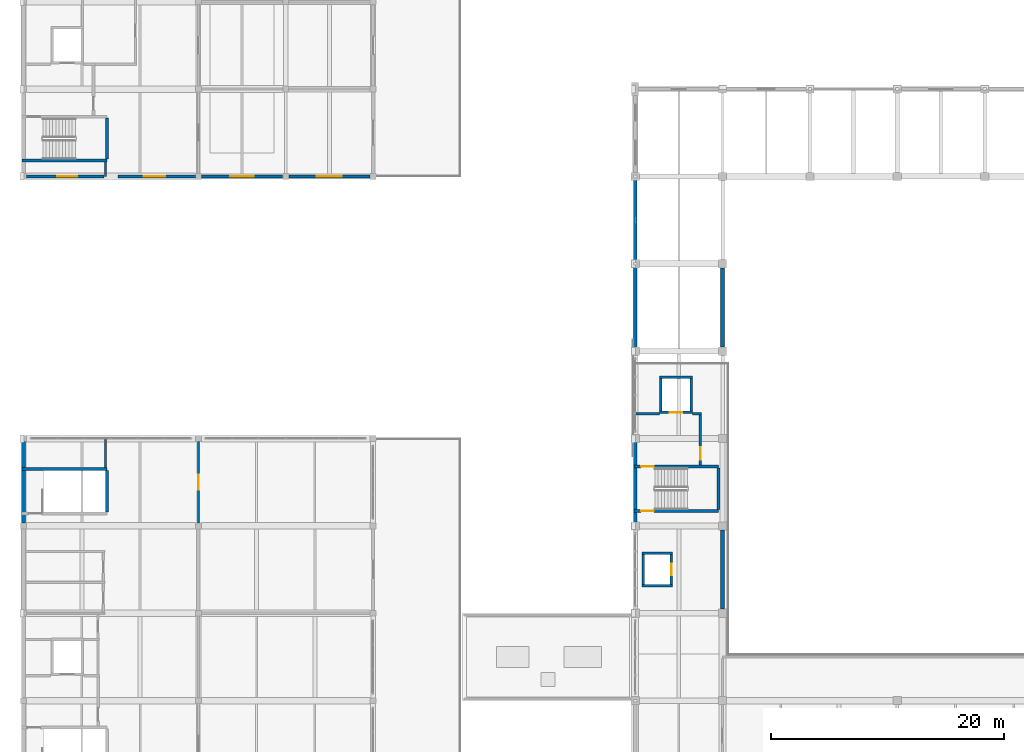
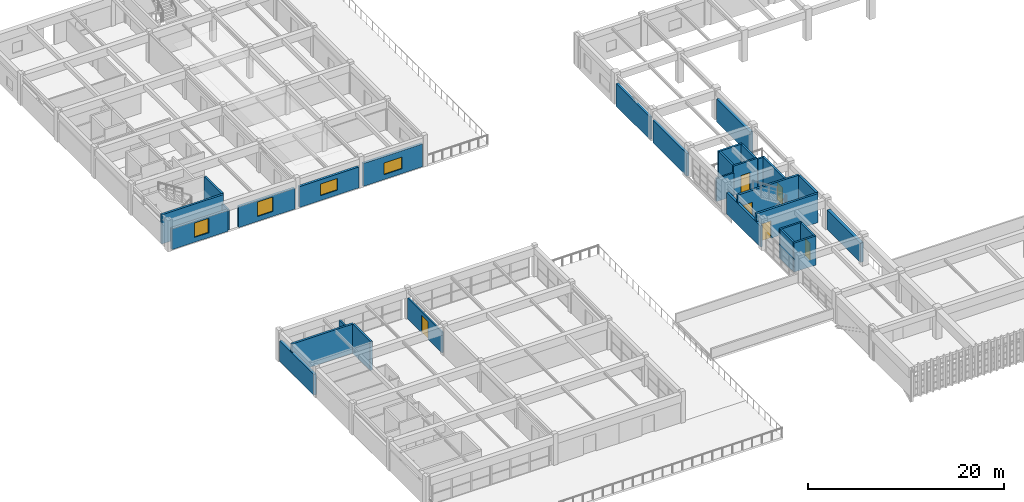
# One storey, part 62 of 82: 31 walls, 6 doors, 4 windows, 10 openings.
"""IFC4 building model written with IfcOpenShell, lengths in metres."""

from ifc_helpers import new_model, si_unit, direction, frame, frame_2d, origin, place, context, subcontext, project, spatial, rectangle, extrude, material, layer, layer_set, type_object, element, fill, save


model = new_model("IFC4")

# Units and contexts
model_context = context("Model", 3, precision=1e-05, world=origin(), true_north=direction((0.0, 1.0)))
body_context = subcontext(model_context, "Body", "Model", "MODEL_VIEW")
ifc_project = project(units=[si_unit("LENGTHUNIT", "METRE"), si_unit("AREAUNIT", "SQUARE_METRE"), si_unit("VOLUMEUNIT", "CUBIC_METRE"), si_unit("PLANEANGLEUNIT", "RADIAN"), si_unit("MASSUNIT", "GRAM", prefix="KILO")], contexts=[model_context])

# Site, building, storey
site_placement = place(None, origin())
site = spatial("IfcSite", under=ifc_project, at=site_placement, CompositionType="ELEMENT")
building_placement = place(site_placement, origin())
building = spatial("IfcBuilding", under=site, at=building_placement, Name="Qasida Concert Hall", CompositionType="ELEMENT")
storey_placement = place(building_placement, frame((0.0, 0.0, 17.10009765625)))
storey = spatial("IfcBuildingStorey", under=building, at=storey_placement, Name="L04", CompositionType="ELEMENT", Elevation=17.10009765625)

# Walls
ifc_material_1 = material(Name="Concrete C40/50", Category="concrete")
ifc_layer_1 = layer(ifc_material_1, 0.219970703125, Name="Concrete C40/50")
ifc_layer_set_1 = layer_set([ifc_layer_1], Name="Concrete C40/50")
wall_type_1 = type_object("IfcWallType", Name="WL-CW-220", PredefinedType="SOLIDWALL", material=ifc_layer_set_1)
for number, where, z_axis, x_axis, name in (
    (1, (53.090087890625, 39.85009765625, 0.0), (0.0, 0.0, 1.0), (1.0, 0.0, 0.0), "L04 LF-01 lift shaft wall S"),
    (2, (53.090087890625, 42.64990234375, 0.0), (0.0, 0.0, 1.0), (1.0, 0.0, 0.0), "L04 LF-01 lift shaft wall N"),
):
    element("IfcWall", number, at=place(storey_placement, frame(where, z_axis=z_axis, x_axis=x_axis)), inside=storey, type_object=wall_type_1, Name=name, PredefinedType="SOLIDWALL", context=body_context, shape_type="SweptSolid", body=[
        extrude(rectangle(XDim=2.619873046875, YDim=0.219970703125, at=frame_2d((1.31005859375, 0.0))), origin(), (0.0, 0.0, 1.0), 3.619873046875),
    ])
wall_1_placement = place(storey_placement, frame((53.199951171875, 39.9599609375, 0.0), z_axis=(0.0, 0.0, 1.0), x_axis=(0.0, 1.0, 0.0)))
element("IfcWall", 3, at=wall_1_placement, inside=storey, type_object=wall_type_1, Name="L04 LF-01 lift shaft wall W", PredefinedType="SOLIDWALL", context=body_context, shape_type="SweptSolid", body=[
    extrude(rectangle(XDim=2.580078125, YDim=0.219970703125, at=frame_2d((1.2900390625, 0.0))), origin(), (0.0, 0.0, 1.0), 3.619873046875),
])

# Wall, opening, door
wall_2_placement = place(storey_placement, frame((55.60009765625, 39.9599609375, 0.0), z_axis=(0.0, 0.0, 1.0), x_axis=(0.0, 1.0, 0.0)))
wall_2 = element("IfcWall", 4, at=wall_2_placement, inside=storey, type_object=wall_type_1, Name="L04 LF-01 lift shaft wall E", PredefinedType="SOLIDWALL", context=body_context, shape_type="SweptSolid", body=[
    extrude(rectangle(XDim=2.580078125, YDim=0.219970703125, at=frame_2d((1.2900390625, 0.0))), origin(), (0.0, 0.0, 1.0), 3.619873046875),
])
opening_1_placement = place(wall_2_placement, frame((0.7900390625, 0.0, 0.0)))
opening_1 = element("IfcOpeningElement", 5, at=opening_1_placement, cuts=wall_2, Name="Opening LD-100", PredefinedType="OPENING", context=body_context, shape_type="SweptSolid", body=[
    extrude(rectangle(XDim=1.0, YDim=2.14990234375, at=frame_2d((0.5, 1.074951171875))), frame((0.0, 0.119873046875, 0.0), z_axis=(0.0, -1.0, 0.0), x_axis=(1.0, 0.0, 0.0)), (0.0, 0.0, 1.0), 0.239990234375),
])
ifc_material_2 = material(Name="Brushed bronze passenger lift landing door", Category="steel")
door_type_1 = type_object("IfcDoorType", Name="LD-100", OperationType="SLIDING_TO_LEFT", PredefinedType="DOOR", material=ifc_material_2)
door_1_placement = place(opening_1_placement, origin())
door_1 = element("IfcDoor", 6, at=door_1_placement, inside=storey, type_object=door_type_1, Name="Lift landing door LF-01 L04", OperationType="SLIDING_TO_LEFT", OverallHeight=2.14990234375, OverallWidth=1.0, PredefinedType="DOOR", context=body_context, shape_type="SweptSolid", body=[
    extrude(rectangle(XDim=1.0, YDim=2.14990234375, at=frame_2d((0.5, 1.074951171875))), frame((0.0, 0.02490234375, 0.0), z_axis=(0.0, -1.0, 0.0), x_axis=(1.0, 0.0, 0.0)), (0.0, 0.0, 1.0), 0.050048828125),
])
fill(opening_1, door_1)

wall_3_placement = place(storey_placement, frame((54.590087890625, 54.75, 0.0), z_axis=(0.0, 0.0, 1.0), x_axis=(1.0, 0.0, 0.0)))
wall_3 = element("IfcWall", 7, at=wall_3_placement, inside=storey, type_object=wall_type_1, Name="L04 LF-03 lift shaft wall S", PredefinedType="SOLIDWALL", context=body_context, shape_type="SweptSolid", body=[
    extrude(rectangle(XDim=2.81982421875, YDim=0.219970703125, at=frame_2d((1.409912109375, 0.0))), origin(), (0.0, 0.0, 1.0), 3.619873046875),
])
opening_2_placement = place(wall_3_placement, frame((0.860107421875, 0.0, 0.0)))
opening_2 = element("IfcOpeningElement", 8, at=opening_2_placement, cuts=wall_3, Name="Opening LD-110", PredefinedType="OPENING", context=body_context, shape_type="SweptSolid", body=[
    extrude(rectangle(XDim=1.10009765625, YDim=2.14990234375, at=frame_2d((0.550048828125, 1.074951171875))), frame((0.0, 0.119873046875, 0.0), z_axis=(0.0, -1.0, 0.0), x_axis=(1.0, 0.0, 0.0)), (0.0, 0.0, 1.0), 0.239990234375),
])
ifc_material_3 = material(Name="Firefighting lift sliding landing door", Category="steel")
door_type_2 = type_object("IfcDoorType", Name="LD-110", OperationType="SLIDING_TO_LEFT", PredefinedType="DOOR", material=ifc_material_3)
door_2_placement = place(opening_2_placement, origin())
door_2 = element("IfcDoor", 9, at=door_2_placement, inside=storey, type_object=door_type_2, Name="Lift landing door LF-03 L04", OperationType="SLIDING_TO_LEFT", OverallHeight=2.14990234375, OverallWidth=1.10009765625, PredefinedType="DOOR", context=body_context, shape_type="SweptSolid", body=[
    extrude(rectangle(XDim=1.10009765625, YDim=2.14990234375, at=frame_2d((0.550048828125, 1.074951171875))), frame((0.0, 0.02490234375, 0.0), z_axis=(0.0, -1.0, 0.0), x_axis=(1.0, 0.0, 0.0)), (0.0, 0.0, 1.0), 0.050048828125),
])
fill(opening_2, door_2)

# Walls
wall_4_placement = place(storey_placement, frame((54.590087890625, 57.75, 0.0), z_axis=(0.0, 0.0, 1.0), x_axis=(1.0, 0.0, 0.0)))
element("IfcWall", 10, at=wall_4_placement, inside=storey, type_object=wall_type_1, Name="L04 LF-03 lift shaft wall N", PredefinedType="SOLIDWALL", context=body_context, shape_type="SweptSolid", body=[
    extrude(rectangle(XDim=2.81982421875, YDim=0.219970703125, at=frame_2d((1.409912109375, 0.0))), origin(), (0.0, 0.0, 1.0), 3.619873046875),
])
for number, where, z_axis, x_axis, name in (
    (11, (54.699951171875, 54.860107421875, 0.0), (0.0, 0.0, 1.0), (0.0, 1.0, 0.0), "L04 LF-03 lift shaft wall W"),
    (12, (57.300048828125, 54.860107421875, 0.0), (0.0, 0.0, 1.0), (0.0, 1.0, 0.0), "L04 LF-03 lift shaft wall E"),
):
    element("IfcWall", number, at=place(storey_placement, frame(where, z_axis=z_axis, x_axis=x_axis)), inside=storey, type_object=wall_type_1, Name=name, PredefinedType="SOLIDWALL", context=body_context, shape_type="SweptSolid", body=[
        extrude(rectangle(XDim=2.77978515625, YDim=0.219970703125, at=frame_2d((1.389892578125, 0.0))), origin(), (0.0, 0.0, 1.0), 3.619873046875),
    ])

# Wall, opening, door
wall_5_placement = place(storey_placement, frame((58.10009765625, 50.219970703125, 0.0), z_axis=(0.0, 0.0, 1.0), x_axis=(0.0, 1.0, 0.0)))
wall_5 = element("IfcWall", 13, at=wall_5_placement, inside=storey, type_object=wall_type_1, Name="L04 LF-03 firefighting lobby wall", PredefinedType="SOLIDWALL", context=body_context, shape_type="SweptSolid", body=[
    extrude(rectangle(XDim=4.409912109375, YDim=0.219970703125, at=frame_2d((2.205078125, 0.0))), origin(), (0.0, 0.0, 1.0), 3.619873046875),
])
opening_3_placement = place(wall_5_placement, frame((0.449951171875, 0.0, 0.0)))
opening_3 = element("IfcOpeningElement", 14, at=opening_3_placement, cuts=wall_5, Name="Opening FD-110", PredefinedType="OPENING", context=body_context, shape_type="SweptSolid", body=[
    extrude(rectangle(XDim=1.10009765625, YDim=2.14990234375, at=frame_2d((0.550048828125, 1.074951171875))), frame((0.0, 0.119873046875, 0.0), z_axis=(0.0, -1.0, 0.0), x_axis=(1.0, 0.0, 0.0)), (0.0, 0.0, 1.0), 0.239990234375),
])
ifc_material_4 = material(Name="Steel fire-rated stair/lobby door set", Category="steel")
door_type_3 = type_object("IfcDoorType", Name="FD-110", OperationType="NOTDEFINED", PredefinedType="DOOR", material=ifc_material_4)
door_3_placement = place(opening_3_placement, origin())
door_3 = element("IfcDoor", 15, at=door_3_placement, inside=storey, type_object=door_type_3, Name="L04 LF-03 firefighting lobby fire door", OperationType="SINGLE_SWING_RIGHT", OverallHeight=2.14990234375, OverallWidth=1.10009765625, PredefinedType="DOOR", context=body_context, shape_type="SweptSolid", body=[
    extrude(rectangle(XDim=1.10009765625, YDim=2.14990234375, at=frame_2d((0.550048828125, 1.074951171875))), frame((0.0, 0.02490234375, 0.0), z_axis=(0.0, -1.0, 0.0), x_axis=(1.0, 0.0, 0.0)), (0.0, 0.0, 1.0), 0.050048828125),
])
fill(opening_3, door_3)

ifc_layer_2 = layer(ifc_material_1, 0.25, Name="Concrete C40/50")
ifc_layer_set_2 = layer_set([ifc_layer_2], Name="Concrete C40/50")
wall_type_2 = type_object("IfcWallType", Name="WL-CW-250", PredefinedType="SOLIDWALL", material=ifc_layer_set_2)
wall_6_placement = place(storey_placement, frame((52.3798828125, 46.27490234375, 0.0), z_axis=(0.0, 0.0, 1.0), x_axis=(1.0, 0.0, 0.0)))
wall_6 = element("IfcWall", 16, at=wall_6_placement, inside=storey, type_object=wall_type_2, Name="L04 ST-01 stairwell wall S", PredefinedType="SOLIDWALL", context=body_context, shape_type="SweptSolid", body=[
    extrude(rectangle(XDim=7.260009765625, YDim=0.25, at=frame_2d((3.6298828125, 0.0))), origin(), (0.0, 0.0, 1.0), 3.619873046875),
])
opening_4_placement = place(wall_6_placement, frame((0.6201171875, 0.0, 0.0)))
opening_4 = element("IfcOpeningElement", 17, at=opening_4_placement, cuts=wall_6, Name="Opening FD-110", PredefinedType="OPENING", context=body_context, shape_type="SweptSolid", body=[
    extrude(rectangle(XDim=1.10009765625, YDim=2.14990234375, at=frame_2d((0.550048828125, 1.074951171875))), frame((0.0, 0.135009765625, 0.0), z_axis=(0.0, -1.0, 0.0), x_axis=(1.0, 0.0, 0.0)), (0.0, 0.0, 1.0), 0.27001953125),
])
door_4_placement = place(opening_4_placement, origin())
door_4 = element("IfcDoor", 18, at=door_4_placement, inside=storey, type_object=door_type_3, Name="L04 ST-01 rated stair door", OperationType="SINGLE_SWING_LEFT", OverallHeight=2.14990234375, OverallWidth=1.10009765625, PredefinedType="DOOR", context=body_context, shape_type="SweptSolid", body=[
    extrude(rectangle(XDim=1.10009765625, YDim=2.14990234375, at=frame_2d((0.550048828125, 1.074951171875))), frame((0.0, 0.02490234375, 0.0), z_axis=(0.0, -1.0, 0.0), x_axis=(1.0, 0.0, 0.0)), (0.0, 0.0, 1.0), 0.050048828125),
])
fill(opening_4, door_4)

wall_7_placement = place(storey_placement, frame((52.3798828125, 50.0849609375, 0.0), z_axis=(0.0, 0.0, 1.0), x_axis=(1.0, 0.0, 0.0)))
wall_7 = element("IfcWall", 19, at=wall_7_placement, inside=storey, type_object=wall_type_2, Name="L04 ST-01 stairwell wall N", PredefinedType="SOLIDWALL", context=body_context, shape_type="SweptSolid", body=[
    extrude(rectangle(XDim=7.260009765625, YDim=0.25, at=frame_2d((3.6298828125, 0.0))), origin(), (0.0, 0.0, 1.0), 3.619873046875),
])
opening_5_placement = place(wall_7_placement, frame((0.6201171875, 0.0, 0.0)))
opening_5 = element("IfcOpeningElement", 20, at=opening_5_placement, cuts=wall_7, Name="Opening FD-110", PredefinedType="OPENING", context=body_context, shape_type="SweptSolid", body=[
    extrude(rectangle(XDim=1.10009765625, YDim=2.14990234375, at=frame_2d((0.550048828125, 1.074951171875))), frame((0.0, 0.135009765625, 0.0), z_axis=(0.0, -1.0, 0.0), x_axis=(1.0, 0.0, 0.0)), (0.0, 0.0, 1.0), 0.27001953125),
])
door_5_placement = place(opening_5_placement, frame((1.10009765625, 0.0, 0.0), z_axis=(0.0, 0.0, 1.0), x_axis=(-1.0, 0.0, 0.0)))
door_5 = element("IfcDoor", 21, at=door_5_placement, inside=storey, type_object=door_type_3, Name="L04 ST-01 rated stair door", OperationType="SINGLE_SWING_RIGHT", OverallHeight=2.14990234375, OverallWidth=1.10009765625, PredefinedType="DOOR", context=body_context, shape_type="SweptSolid", body=[
    extrude(rectangle(XDim=1.10009765625, YDim=2.14990234375, at=frame_2d((0.550048828125, 1.074951171875))), frame((0.0, 0.02490234375, 0.0), z_axis=(0.0, -1.0, 0.0), x_axis=(1.0, 0.0, 0.0)), (0.0, 0.0, 1.0), 0.050048828125),
])
fill(opening_5, door_5)

# Walls
wall_8_placement = place(storey_placement, frame((59.64501953125, 46.39990234375, 0.0), z_axis=(0.0, 0.0, 1.0), x_axis=(0.0, 1.0, 0.0)))
element("IfcWall", 22, at=wall_8_placement, inside=storey, type_object=wall_type_2, Name="L04 ST-01 stairwell wall E", PredefinedType="SOLIDWALL", context=body_context, shape_type="SweptSolid", body=[
    extrude(rectangle(XDim=3.56005859375, YDim=0.25, at=frame_2d((1.780029296875, 0.0))), origin(), (0.0, 0.0, 1.0), 3.619873046875),
])
wall_9_placement = place(storey_placement, frame((-0.1201171875, 49.885009765625, 0.0), z_axis=(0.0, 0.0, 1.0), x_axis=(1.0, 0.0, 0.0)))
element("IfcWall", 23, at=wall_9_placement, inside=storey, type_object=wall_type_2, Name="L04 ST-04 stairwell wall N", PredefinedType="SOLIDWALL", context=body_context, shape_type="SweptSolid", body=[
    extrude(rectangle(XDim=7.260009765625, YDim=0.25, at=frame_2d((3.6298828125, 0.0))), origin(), (0.0, 0.0, 1.0), 3.619873046875),
])
wall_10_placement = place(storey_placement, frame((7.14501953125, 46.199951171875, 0.0), z_axis=(0.0, 0.0, 1.0), x_axis=(0.0, 1.0, 0.0)))
element("IfcWall", 24, at=wall_10_placement, inside=storey, type_object=wall_type_2, Name="L04 ST-04 stairwell wall E", PredefinedType="SOLIDWALL", context=body_context, shape_type="SweptSolid", body=[
    extrude(rectangle(XDim=3.56005859375, YDim=0.25, at=frame_2d((1.780029296875, 0.0))), origin(), (0.0, 0.0, 1.0), 3.619873046875),
])
wall_11_placement = place(storey_placement, frame((-0.1201171875, 76.375, 0.0), z_axis=(0.0, 0.0, 1.0), x_axis=(1.0, 0.0, 0.0)))
element("IfcWall", 25, at=wall_11_placement, inside=storey, type_object=wall_type_2, Name="L04 ST-05 stairwell wall S", PredefinedType="SOLIDWALL", context=body_context, shape_type="SweptSolid", body=[
    extrude(rectangle(XDim=7.260009765625, YDim=0.25, at=frame_2d((3.6298828125, 0.0))), origin(), (0.0, 0.0, 1.0), 3.619873046875),
])
wall_12_placement = place(storey_placement, frame((7.14501953125, 76.5, 0.0), z_axis=(0.0, 0.0, 1.0), x_axis=(0.0, 1.0, 0.0)))
element("IfcWall", 26, at=wall_12_placement, inside=storey, type_object=wall_type_2, Name="L04 ST-05 stairwell wall E", PredefinedType="SOLIDWALL", context=body_context, shape_type="SweptSolid", body=[
    extrude(rectangle(XDim=3.5, YDim=0.25, at=frame_2d((1.75, 0.0))), origin(), (0.0, 0.0, 1.0), 3.619873046875),
])
ifc_material_5 = material(Name="Precast concrete C40/50", Category="concrete")
ifc_layer_3 = layer(ifc_material_5, 0.280029296875, Name="Precast concrete C40/50")
ifc_layer_set_3 = layer_set([ifc_layer_3], Name="Precast concrete C40/50")
wall_type_3 = type_object("IfcWallType", Name="WL-EW-280", PredefinedType="SOLIDWALL", material=ifc_layer_set_3)
wall_13_placement = place(storey_placement, frame((52.5, 45.300048828125, 0.0), z_axis=(0.0, 0.0, 1.0), x_axis=(0.0, 1.0, 0.0)))
element("IfcWall", 27, at=wall_13_placement, inside=storey, type_object=wall_type_3, Name="L04 exterior wall EW-280 0081", PredefinedType="SOLIDWALL", context=body_context, shape_type="SweptSolid", body=[
    extrude(rectangle(XDim=6.89990234375, YDim=0.280029296875, at=frame_2d((3.449951171875, 0.0))), origin(), (0.0, 0.0, 1.0), 2.639892578125),
])
for number, where, z_axis, x_axis, name in (
    (28, (52.5, 60.300048828125, -0.280029296875), (0.0, 0.0, 1.0), (0.0, 1.0, 0.0), "L04 exterior wall EW-280 0083"),
    (29, (52.5, 67.800048828125, -0.280029296875), (0.0, 0.0, 1.0), (0.0, 1.0, 0.0), "L04 exterior wall EW-280 0085"),
):
    element("IfcWall", number, at=place(storey_placement, frame(where, z_axis=z_axis, x_axis=x_axis)), inside=storey, type_object=wall_type_3, Name=name, PredefinedType="SOLIDWALL", context=body_context, shape_type="SweptSolid", body=[
        extrude(rectangle(XDim=6.89990234375, YDim=0.280029296875, at=frame_2d((3.449951171875, 0.0))), origin(), (0.0, 0.0, 1.0), 2.81982421875),
    ])

# Wall, opening, window
wall_14_placement = place(storey_placement, frame((0.264892578125, 75.0, 0.0), z_axis=(0.0, 0.0, 1.0), x_axis=(1.0, 0.0, 0.0)))
wall_14 = element("IfcWall", 30, at=wall_14_placement, inside=storey, type_object=wall_type_3, Name="L04 exterior wall EW-280 0293", PredefinedType="SOLIDWALL", context=body_context, shape_type="SweptSolid", body=[
    extrude(rectangle(XDim=6.614990234375, YDim=0.280029296875, at=frame_2d((3.3076171875, 0.0))), origin(), (0.0, 0.0, 1.0), 2.58984375),
])
opening_6_placement = place(wall_14_placement, frame((2.635009765625, 0.0, 0.60009765625)))
opening_6 = element("IfcOpeningElement", 31, at=opening_6_placement, cuts=wall_14, Name="Opening WN-05", PredefinedType="OPENING", context=body_context, shape_type="SweptSolid", body=[
    extrude(rectangle(XDim=1.699951171875, YDim=1.800048828125, at=frame_2d((0.85009765625, 0.89990234375))), frame((0.0, 0.14990234375, 0.0), z_axis=(0.0, -1.0, 0.0), x_axis=(1.0, 0.0, 0.0)), (0.0, 0.0, 1.0), 0.300048828125),
])
ifc_material_6 = material(Name="Bronze-anodized aluminium frame with acoustic low-E glazing", Category="aluminium")
window_type_1 = type_object("IfcWindowType", Name="WN-05", PartitioningType="SINGLE_PANEL", PredefinedType="WINDOW", material=ifc_material_6)
window_1_placement = place(opening_6_placement, origin())
window_1 = element("IfcWindow", 32, at=window_1_placement, inside=storey, type_object=window_type_1, Name="L04 window WN-05 0160", OverallHeight=1.800048828125, OverallWidth=1.699951171875, PartitioningType="SINGLE_PANEL", PredefinedType="WINDOW", context=body_context, shape_type="SweptSolid", body=[
    extrude(rectangle(XDim=1.699951171875, YDim=1.800048828125, at=frame_2d((0.85009765625, 0.89990234375))), frame((0.0, 0.030029296875, 0.0), z_axis=(0.0, -1.0, 0.0), x_axis=(1.0, 0.0, 0.0)), (0.0, 0.0, 1.0), 0.06005859375),
])
fill(opening_6, window_1)

wall_15_placement = place(storey_placement, frame((8.1201171875, 75.0, 0.0), z_axis=(0.0, 0.0, 1.0), x_axis=(1.0, 0.0, 0.0)))
wall_15 = element("IfcWall", 33, at=wall_15_placement, inside=storey, type_object=wall_type_3, Name="L04 exterior wall EW-280 0295", PredefinedType="SOLIDWALL", context=body_context, shape_type="SweptSolid", body=[
    extrude(rectangle(XDim=6.614990234375, YDim=0.280029296875, at=frame_2d((3.3076171875, 0.0))), origin(), (0.0, 0.0, 1.0), 2.58984375),
])
opening_7_placement = place(wall_15_placement, frame((2.205078125, 0.0, 0.60009765625)))
opening_7 = element("IfcOpeningElement", 34, at=opening_7_placement, cuts=wall_15, Name="Opening WN-06", PredefinedType="OPENING", context=body_context, shape_type="SweptSolid", body=[
    extrude(rectangle(XDim=1.85009765625, YDim=1.800048828125, at=frame_2d((0.925048828125, 0.89990234375))), frame((0.0, 0.14990234375, 0.0), z_axis=(0.0, -1.0, 0.0), x_axis=(1.0, 0.0, 0.0)), (0.0, 0.0, 1.0), 0.300048828125),
])
window_type_2 = type_object("IfcWindowType", Name="WN-06", PartitioningType="SINGLE_PANEL", PredefinedType="WINDOW", material=ifc_material_6)
window_2_placement = place(opening_7_placement, origin())
window_2 = element("IfcWindow", 35, at=window_2_placement, inside=storey, type_object=window_type_2, Name="L04 window WN-06 0162", OverallHeight=1.800048828125, OverallWidth=1.85009765625, PartitioningType="SINGLE_PANEL", PredefinedType="WINDOW", context=body_context, shape_type="SweptSolid", body=[
    extrude(rectangle(XDim=1.85009765625, YDim=1.800048828125, at=frame_2d((0.925048828125, 0.89990234375))), frame((0.0, 0.030029296875, 0.0), z_axis=(0.0, -1.0, 0.0), x_axis=(1.0, 0.0, 0.0)), (0.0, 0.0, 1.0), 0.06005859375),
])
fill(opening_7, window_2)

wall_16_placement = place(storey_placement, frame((15.264892578125, 75.0, 0.0), z_axis=(0.0, 0.0, 1.0), x_axis=(1.0, 0.0, 0.0)))
wall_16 = element("IfcWall", 36, at=wall_16_placement, inside=storey, type_object=wall_type_3, Name="L04 exterior wall EW-280 0297", PredefinedType="SOLIDWALL", context=body_context, shape_type="SweptSolid", body=[
    extrude(rectangle(XDim=6.97021484375, YDim=0.280029296875, at=frame_2d((3.485107421875, 0.0))), origin(), (0.0, 0.0, 1.0), 2.58984375),
])
opening_8_placement = place(wall_16_placement, frame((2.485107421875, 0.0, 0.60009765625)))
opening_8 = element("IfcOpeningElement", 37, at=opening_8_placement, cuts=wall_16, Name="Opening WN-07", PredefinedType="OPENING", context=body_context, shape_type="SweptSolid", body=[
    extrude(rectangle(XDim=2.0, YDim=1.449951171875, at=frame_2d((1.0, 0.72509765625))), frame((0.0, 0.14990234375, 0.0), z_axis=(0.0, -1.0, 0.0), x_axis=(1.0, 0.0, 0.0)), (0.0, 0.0, 1.0), 0.300048828125),
])
window_type_3 = type_object("IfcWindowType", Name="WN-07", PartitioningType="SINGLE_PANEL", PredefinedType="WINDOW", material=ifc_material_6)
window_3_placement = place(opening_8_placement, origin())
window_3 = element("IfcWindow", 38, at=window_3_placement, inside=storey, type_object=window_type_3, Name="L04 window WN-07 0163", OverallHeight=1.449951171875, OverallWidth=2.0, PartitioningType="SINGLE_PANEL", PredefinedType="WINDOW", context=body_context, shape_type="SweptSolid", body=[
    extrude(rectangle(XDim=2.0, YDim=1.449951171875, at=frame_2d((1.0, 0.72509765625))), frame((0.0, 0.030029296875, 0.0), z_axis=(0.0, -1.0, 0.0), x_axis=(1.0, 0.0, 0.0)), (0.0, 0.0, 1.0), 0.06005859375),
])
fill(opening_8, window_3)

wall_17_placement = place(storey_placement, frame((22.764892578125, 75.0, 0.0), z_axis=(0.0, 0.0, 1.0), x_axis=(1.0, 0.0, 0.0)))
wall_17 = element("IfcWall", 39, at=wall_17_placement, inside=storey, type_object=wall_type_3, Name="L04 exterior wall EW-280 0299", PredefinedType="SOLIDWALL", context=body_context, shape_type="SweptSolid", body=[
    extrude(rectangle(XDim=6.97021484375, YDim=0.280029296875, at=frame_2d((3.485107421875, 0.0))), origin(), (0.0, 0.0, 1.0), 2.83984375),
])
opening_9_placement = place(wall_17_placement, frame((2.409912109375, 0.0, 0.60009765625)))
opening_9 = element("IfcOpeningElement", 40, at=opening_9_placement, cuts=wall_17, Name="Opening WN-08", PredefinedType="OPENING", context=body_context, shape_type="SweptSolid", body=[
    extrude(rectangle(XDim=2.14990234375, YDim=1.449951171875, at=frame_2d((1.074951171875, 0.72509765625))), frame((0.0, 0.14990234375, 0.0), z_axis=(0.0, -1.0, 0.0), x_axis=(1.0, 0.0, 0.0)), (0.0, 0.0, 1.0), 0.300048828125),
])
window_type_4 = type_object("IfcWindowType", Name="WN-08", PartitioningType="SINGLE_PANEL", PredefinedType="WINDOW", material=ifc_material_6)
window_4_placement = place(opening_9_placement, origin())
window_4 = element("IfcWindow", 41, at=window_4_placement, inside=storey, type_object=window_type_4, Name="L04 window WN-08 0165", OverallHeight=1.449951171875, OverallWidth=2.14990234375, PartitioningType="SINGLE_PANEL", PredefinedType="WINDOW", context=body_context, shape_type="SweptSolid", body=[
    extrude(rectangle(XDim=2.14990234375, YDim=1.449951171875, at=frame_2d((1.074951171875, 0.72509765625))), frame((0.0, 0.030029296875, 0.0), z_axis=(0.0, -1.0, 0.0), x_axis=(1.0, 0.0, 0.0)), (0.0, 0.0, 1.0), 0.06005859375),
])
fill(opening_9, window_4)

# Walls
ifc_layer_4 = layer(ifc_material_5, 0.320068359375, Name="Precast concrete C40/50")
ifc_layer_set_4 = layer_set([ifc_layer_4], Name="Precast concrete C40/50")
wall_type_4 = type_object("IfcWallType", Name="WL-EW-320", PredefinedType="SOLIDWALL", material=ifc_layer_set_4)
wall_18_placement = place(storey_placement, frame((0.0, 45.264892578125, 0.0), z_axis=(0.0, 0.0, 1.0), x_axis=(0.0, 1.0, 0.0)))
element("IfcWall", 42, at=wall_18_placement, inside=storey, type_object=wall_type_4, Name="L04 exterior wall EW-320 0145", PredefinedType="SOLIDWALL", context=body_context, shape_type="SweptSolid", body=[
    extrude(rectangle(XDim=6.97021484375, YDim=0.320068359375, at=frame_2d((3.485107421875, 0.0))), origin(), (0.0, 0.0, 1.0), 2.58984375),
])
ifc_material_7 = material(Name="Acoustic metal-stud gypsum partition", Category="gypsum")
ifc_layer_5 = layer(ifc_material_7, 0.179931640625, Name="Acoustic metal-stud gypsum partition")
ifc_layer_set_5 = layer_set([ifc_layer_5], Name="Acoustic metal-stud gypsum partition")
wall_type_5 = type_object("IfcWallType", Name="WL-PW-180", PredefinedType="PARTITIONING", material=ifc_layer_set_5)
wall_19_placement = place(storey_placement, frame((7.02001953125, 50.02392578125, 0.0), z_axis=(0.0, 0.0, 1.0), x_axis=(0.0, 1.0, 0.0)))
element("IfcWall", 43, at=wall_19_placement, inside=storey, type_object=wall_type_5, Name="L04 partition PW-180 0159", PredefinedType="PARTITIONING", context=body_context, shape_type="SweptSolid", body=[
    extrude(rectangle(XDim=2.384033203125, YDim=0.179931640625, at=frame_2d((1.19189453125, 0.0))), origin(), (0.0, 0.0, 1.0), 2.58984375),
])

# Wall, opening, door
wall_20_placement = place(storey_placement, frame((15.0, 45.263916015625, 0.0), z_axis=(0.0, 0.0, 1.0), x_axis=(0.0, 1.0, 0.0)))
wall_20 = element("IfcWall", 44, at=wall_20_placement, inside=storey, type_object=wall_type_5, Name="L04 partition PW-180 0225", PredefinedType="PARTITIONING", context=body_context, shape_type="SweptSolid", body=[
    extrude(rectangle(XDim=6.97216796875, YDim=0.179931640625, at=frame_2d((3.486083984375, 0.0))), origin(), (0.0, 0.0, 1.0), 2.58984375),
])
opening_10_placement = place(wall_20_placement, frame((2.8359375, 0.0, 0.0)))
opening_10 = element("IfcOpeningElement", 45, at=opening_10_placement, cuts=wall_20, Name="Opening ID-130", PredefinedType="OPENING", context=body_context, shape_type="SweptSolid", body=[
    extrude(rectangle(XDim=1.300048828125, YDim=2.14990234375, at=frame_2d((0.64990234375, 1.074951171875))), frame((0.0, 0.099853515625, 0.0), z_axis=(0.0, -1.0, 0.0), x_axis=(1.0, 0.0, 0.0)), (0.0, 0.0, 1.0), 0.199951171875),
])
ifc_material_8 = material(Name="Bronze-framed glazed salon door", Category="aluminium")
door_type_4 = type_object("IfcDoorType", Name="ID-130", OperationType="NOTDEFINED", PredefinedType="DOOR", material=ifc_material_8)
door_6_placement = place(opening_10_placement, origin())
door_6 = element("IfcDoor", 46, at=door_6_placement, inside=storey, type_object=door_type_4, Name="L04 Levantine recital salon door", OperationType="SINGLE_SWING_LEFT", OverallHeight=2.14990234375, OverallWidth=1.300048828125, PredefinedType="DOOR", context=body_context, shape_type="SweptSolid", body=[
    extrude(rectangle(XDim=1.300048828125, YDim=2.14990234375, at=frame_2d((0.64990234375, 1.074951171875))), frame((0.0, 0.02490234375, 0.0), z_axis=(0.0, -1.0, 0.0), x_axis=(1.0, 0.0, 0.0)), (0.0, 0.0, 1.0), 0.050048828125),
])
fill(opening_10, door_6)

# Walls
wall_21_placement = place(storey_placement, frame((7.02001953125, 75.0, 0.0), z_axis=(0.0, 0.0, 1.0), x_axis=(0.0, 1.0, 0.0)))
element("IfcWall", 47, at=wall_21_placement, inside=storey, type_object=wall_type_5, Name="L04 partition PW-180 0351", PredefinedType="PARTITIONING", context=body_context, shape_type="SweptSolid", body=[
    extrude(rectangle(XDim=1.236083984375, YDim=0.179931640625, at=frame_2d((0.6181640625, 0.0))), origin(), (0.0, 0.0, 1.0), 2.58984375),
])
ifc_material_9 = material(Name="Acoustic gypsum block and mineral wool", Category="gypsum")
ifc_layer_6 = layer(ifc_material_9, 0.199951171875, Name="Acoustic gypsum block and mineral wool")
ifc_layer_set_6 = layer_set([ifc_layer_6], Name="Acoustic gypsum block and mineral wool")
wall_type_6 = type_object("IfcWallType", Name="WL-PW-200", PredefinedType="PARTITIONING", material=ifc_layer_set_6)
wall_22_placement = place(storey_placement, frame((52.56005859375, 54.6298828125, 0.0), z_axis=(0.0, 0.0, 1.0), x_axis=(1.0, 0.0, 0.0)))
element("IfcWall", 48, at=wall_22_placement, inside=storey, type_object=wall_type_6, Name="L04 LF-03 firefighting lobby return wall", PredefinedType="PARTITIONING", context=body_context, shape_type="SweptSolid", body=[
    extrude(rectangle(XDim=2.014892578125, YDim=0.199951171875, at=frame_2d((1.00732421875, 0.0))), origin(), (0.0, 0.0, 1.0), 2.849853515625),
])
wall_23_placement = place(storey_placement, frame((57.425048828125, 54.6298828125, 0.0), z_axis=(0.0, 0.0, 1.0), x_axis=(1.0, 0.0, 0.0)))
element("IfcWall", 49, at=wall_23_placement, inside=storey, type_object=wall_type_6, Name="L04 LF-03 firefighting lobby return wall", PredefinedType="PARTITIONING", context=body_context, shape_type="SweptSolid", body=[
    extrude(rectangle(XDim=0.784912109375, YDim=0.199951171875, at=frame_2d((0.392578125, 0.0))), origin(), (0.0, 0.0, 1.0), 3.599853515625),
])
ifc_layer_7 = layer(ifc_material_1, 0.35009765625, Name="Concrete C40/50")
ifc_layer_set_7 = layer_set([ifc_layer_7], Name="Concrete C40/50")
wall_type_7 = type_object("IfcWallType", Name="WL-SW-350", PredefinedType="SHEAR", material=ifc_layer_set_7)
wall_24_placement = place(storey_placement, frame((60.0, 37.85009765625, 0.0), z_axis=(0.0, 0.0, 1.0), x_axis=(0.0, 1.0, 0.0)))
element("IfcWall", 50, at=wall_24_placement, inside=storey, type_object=wall_type_7, Name="L04 acoustic box shear wall 0036", PredefinedType="SHEAR", context=body_context, shape_type="SweptSolid", body=[
    extrude(rectangle(XDim=6.7998046875, YDim=0.35009765625, at=frame_2d((3.39990234375, 0.0))), origin(), (0.0, 0.0, 1.0), 2.419921875),
])
wall_25_placement = place(storey_placement, frame((60.0, 60.35009765625, -0.280029296875), z_axis=(0.0, 0.0, 1.0), x_axis=(0.0, 1.0, 0.0)))
element("IfcWall", 51, at=wall_25_placement, inside=storey, type_object=wall_type_7, Name="L04 acoustic box shear wall 0037", PredefinedType="SHEAR", context=body_context, shape_type="SweptSolid", body=[
    extrude(rectangle(XDim=6.7998046875, YDim=0.35009765625, at=frame_2d((3.39990234375, 0.0))), origin(), (0.0, 0.0, 1.0), 2.849853515625),
])

save(model, "model.ifc")
